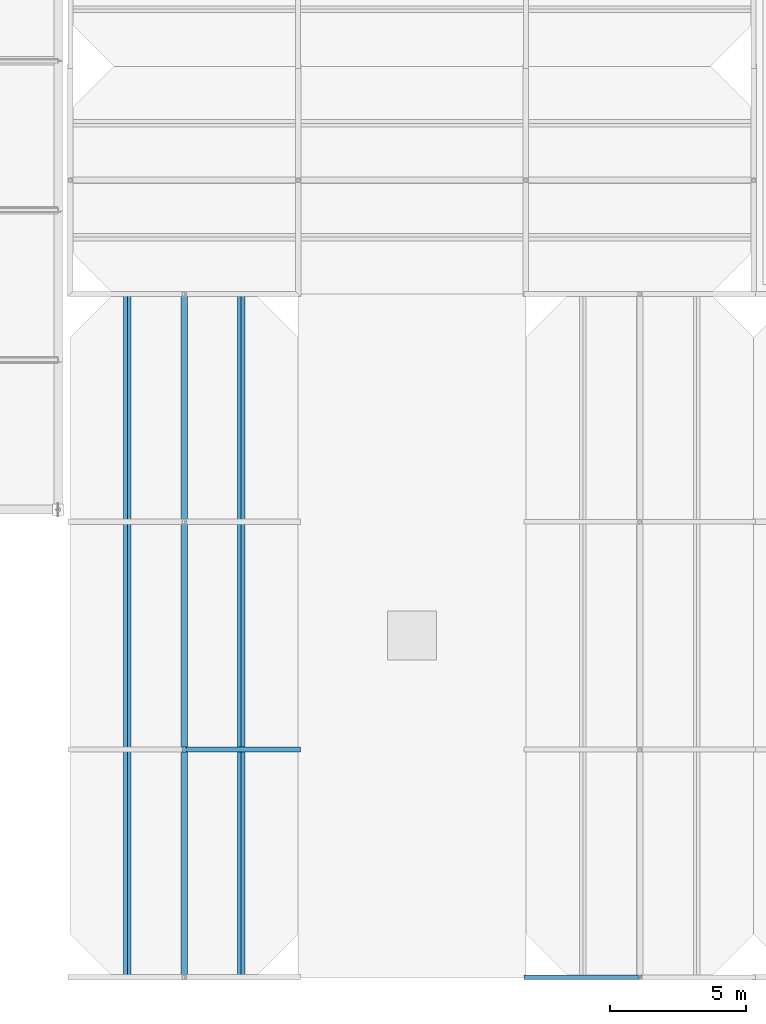
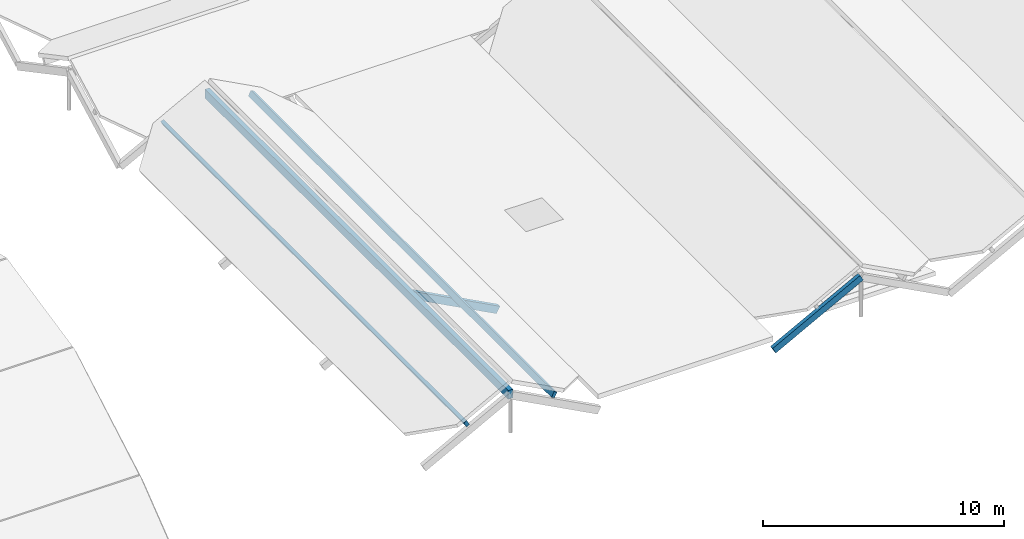
# One storey, part 16 of 82: 4 members, 1 beam.
"""IFC4 building model written with IfcOpenShell, lengths in metres."""

from ifc_helpers import new_model, si_unit, direction, frame, origin, origin_2d, place, context, subcontext, project, spatial, rectangle, extrude, material, material_profile, profile_set, type_object, element, save


model = new_model("IFC4")

# Units and contexts
model_context = context("Model", 3, precision=1e-05, world=origin(), true_north=direction((0.0, 1.0)))
body_context = subcontext(model_context, "Body", "Model", "MODEL_VIEW")
ifc_project = project(units=[si_unit("LENGTHUNIT", "METRE"), si_unit("AREAUNIT", "SQUARE_METRE"), si_unit("VOLUMEUNIT", "CUBIC_METRE"), si_unit("PLANEANGLEUNIT", "RADIAN"), si_unit("MASSUNIT", "GRAM", prefix="KILO")], contexts=[model_context])

# Site, building, storey
site_placement = place(None, origin())
site = spatial("IfcSite", under=ifc_project, at=site_placement, CompositionType="ELEMENT")
building_placement = place(site_placement, origin())
building = spatial("IfcBuilding", under=site, at=building_placement, Name="Bramfleet General Hospital", CompositionType="ELEMENT")
storey_placement = place(building_placement, frame((0.0, 0.0, 34.199951171875)))
storey = spatial("IfcBuildingStorey", under=building, at=storey_placement, Name="Roof", CompositionType="ELEMENT", Elevation=34.199951171875)

# Beam
ifc_material = material(Name="Structural timber GL28h", Category="wood")
ifc_material_profile_1 = material_profile(ifc_material, rectangle(XDim=0.219970703125, YDim=0.43994140625, at=origin_2d()), Name="GL28h 440x220")
ifc_profile_set_1 = profile_set([ifc_material_profile_1], Name="Structural timber GL28h")
beam_type = type_object("IfcBeamType", Name="BM-GL440", PredefinedType="BEAM", material=ifc_profile_set_1)
beam_placement = place(storey_placement, frame((96.60009765625, 0.0, 1.476806640625), z_axis=(0.0, 1.0, 0.0), x_axis=(-1.0, 0.0, 0.0)))
element("IfcBeam", 1, at=beam_placement, inside=storey, type_object=beam_type, Name="Patient House PH-05 Glulam Ridge Beam", PredefinedType="BEAM", context=body_context, shape_type="SweptSolid", body=[
    extrude(rectangle(XDim=0.219970703125, YDim=0.43994140625, at=origin_2d()), origin(), (0.0, 0.0, 1.0), 25.199951171875),
])

# Members
ifc_material_profile_2 = material_profile(ifc_material, rectangle(XDim=0.159912109375, YDim=0.280029296875, at=origin_2d()), Name="GL28h 280x160")
ifc_profile_set_2 = profile_set([ifc_material_profile_2], Name="Structural timber GL28h")
member_type_1 = type_object("IfcMemberType", Name="MEM-PR-GL280", PredefinedType="PURLIN", material=ifc_profile_set_2)
for number, where, z_axis, x_axis, name in (
    (2, (94.5, 0.0, 0.71533203125), (0.0, 1.0, 0.0), (-0.882947592859, 0.0, -0.469471562786), "Patient House PH-05 West Glulam Purlin"),
    (3, (98.699951171875, 0.0, 0.71533203125), (0.0, 1.0, 0.0), (-0.882947592859, 0.0, 0.469471562786), "Patient House PH-05 East Glulam Purlin"),
):
    element("IfcMember", number, at=place(storey_placement, frame(where, z_axis=z_axis, x_axis=x_axis)), inside=storey, type_object=member_type_1, Name=name, PredefinedType="PURLIN", context=body_context, shape_type="SweptSolid", body=[
        extrude(rectangle(XDim=0.159912109375, YDim=0.280029296875, at=origin_2d()), origin(), (0.0, 0.0, 1.0), 25.199951171875),
    ])
ifc_material_profile_3 = material_profile(ifc_material, rectangle(XDim=0.179931640625, YDim=0.320068359375, at=origin_2d()), Name="GL28h 320x180")
ifc_profile_set_3 = profile_set([ifc_material_profile_3], Name="Structural timber GL28h")
member_type_2 = type_object("IfcMemberType", Name="MEM-RF-GL320", PredefinedType="RAFTER", material=ifc_profile_set_3)
member_1_placement = place(storey_placement, frame((109.199951171875, 0.0, -0.671875), z_axis=(0.882947536541, 0.0, 0.469471668705), x_axis=(0.0, 1.0, 0.0)))
element("IfcMember", 4, at=member_1_placement, inside=storey, type_object=member_type_2, Name="Patient House PH-06 West Glulam Rafter 0", PredefinedType="RAFTER", context=body_context, shape_type="SweptSolid", body=[
    extrude(rectangle(XDim=0.179931640625, YDim=0.320068359375, at=origin_2d()), origin(), (0.0, 0.0, 1.0), 4.7568359375),
])
ifc_material_profile_4 = material_profile(ifc_material, rectangle(XDim=0.199951171875, YDim=0.360107421875, at=origin_2d()), Name="GL28h 360x200")
ifc_profile_set_4 = profile_set([ifc_material_profile_4], Name="Structural timber GL28h")
member_type_3 = type_object("IfcMemberType", Name="MEM-RF-GL360", PredefinedType="RAFTER", material=ifc_profile_set_4)
member_2_placement = place(storey_placement, frame((96.60009765625, 8.39990234375, 1.476806640625), z_axis=(0.882947536541, 0.0, -0.469471668705), x_axis=(0.0, 1.0, 0.0)))
element("IfcMember", 5, at=member_2_placement, inside=storey, type_object=member_type_3, Name="Patient House PH-05 East Glulam Rafter 1", PredefinedType="RAFTER", context=body_context, shape_type="SweptSolid", body=[
    extrude(rectangle(XDim=0.199951171875, YDim=0.360107421875, at=origin_2d()), origin(), (0.0, 0.0, 1.0), 4.7568359375),
])

save(model, "model.ifc")
